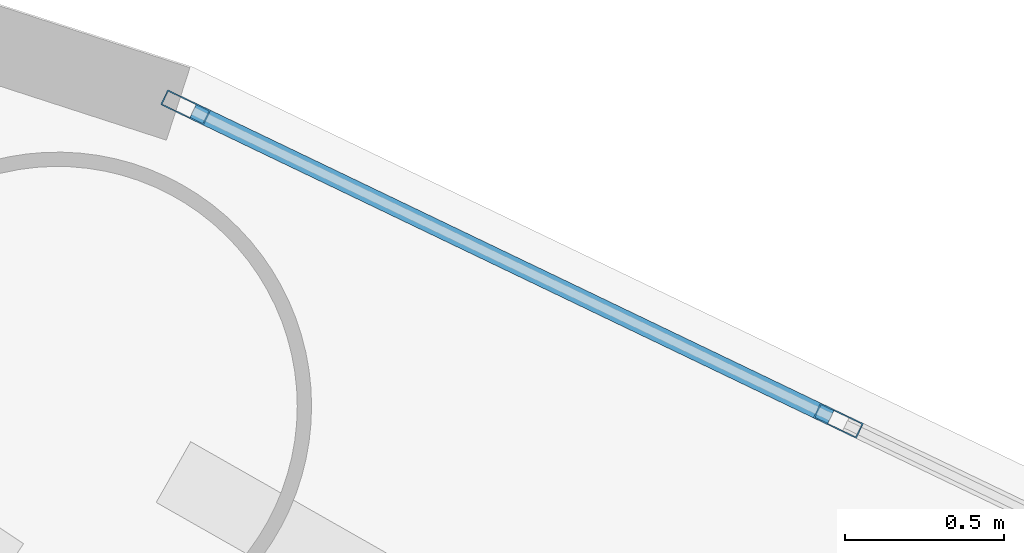
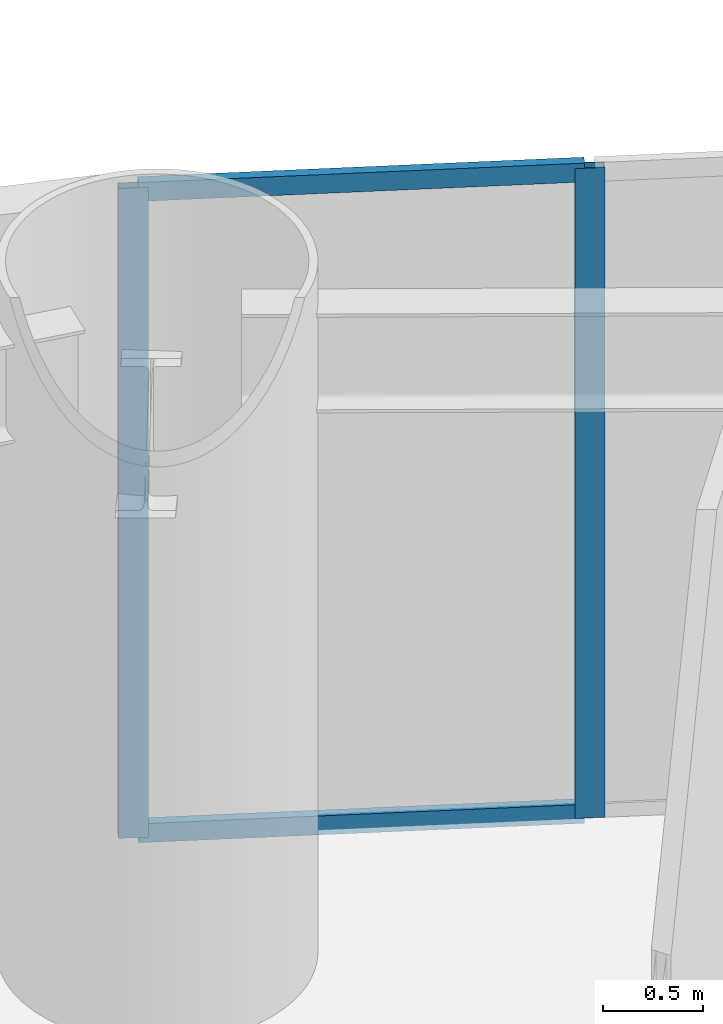
# One storey, part 4 of 21: 4 members, 1 element without a shape of its own.
"""IFC4 building model written with IfcOpenShell, lengths in metres."""

from ifc_helpers import new_model, si_unit, direction, frame, origin, origin_2d, place, context, subcontext, project, spatial, hollow_rectangle, extrude, source, transform, mapped, material, layer, layer_set, material_profile, profile_set, type_object, element, aggregate, save


model = new_model("IFC4")

# Units and contexts
model_context = context("Model", 3, precision=1e-05, world=origin(), true_north=direction((0.0, 1.0)))
body_context = subcontext(model_context, "Body", "Model", "MODEL_VIEW")
ifc_project = project(units=[si_unit("LENGTHUNIT", "METRE"), si_unit("AREAUNIT", "SQUARE_METRE"), si_unit("VOLUMEUNIT", "CUBIC_METRE"), si_unit("PLANEANGLEUNIT", "RADIAN"), si_unit("MASSUNIT", "GRAM", prefix="KILO")], contexts=[model_context])

# Site, building, storey
site_placement = place(None, origin())
site = spatial("IfcSite", under=ifc_project, at=site_placement, CompositionType="ELEMENT")
building_placement = place(site_placement, origin())
building = spatial("IfcBuilding", under=site, at=building_placement, Name="Linh Dai School and Residence Tower", CompositionType="ELEMENT")
storey_placement = place(building_placement, frame((0.0, 0.0, 78.60009765625)))
storey = spatial("IfcBuildingStorey", under=building, at=storey_placement, Name="L18", CompositionType="ELEMENT", Elevation=78.60009765625)

# Curtain wall, members
ifc_material_1 = material(Name="Aluminium Anodised Curtain Wall", Category="aluminium")
ifc_layer = layer(ifc_material_1, 0.14990234375)
ifc_layer_set = layer_set([ifc_layer], Name="Aluminium Anodised Curtain Wall")
curtain_wall_type = type_object("IfcCurtainWallType", Name="CW-SYS-4", PredefinedType="USERDEFINED", material=ifc_layer_set)
curtain_wall_placement = place(storey_placement, origin())
curtain_wall = element("IfcCurtainWall", 1, at=curtain_wall_placement, inside=storey, type_object=curtain_wall_type, Name="L18 CW4 Curtain Wall 07", ObjectType="RIBBON CURTAIN WALL", PredefinedType="USERDEFINED")
ifc_material_2 = material(Name="Aluminium Alloy 6063-T6", Category="aluminium")
ifc_material_profile_1 = material_profile(ifc_material_2, hollow_rectangle(XDim=0.052001953125, YDim=0.14990234375, WallThickness=0.00390625, at=origin_2d()), Name="RHS 150x52x4")
ifc_profile_set_1 = profile_set([ifc_material_profile_1], Name="Aluminium Alloy 6063-T6")
member_type_1 = type_object("IfcMemberType", Name="CW-SYS-4-MUL", PredefinedType="MULLION", material=ifc_profile_set_1)
shared_shape_1 = source(origin(), body_context, "Body", "SweptSolid", [
    extrude(hollow_rectangle(XDim=0.052001953125, YDim=0.14990234375, WallThickness=0.00390625, at=origin_2d()), origin(), (0.0, 0.0, 1.0), 3.949951171875),
])
member_1_placement = place(storey_placement, frame((50.1416015625, 48.639892578125, 0.0), z_axis=(0.0, 0.0, 1.0), x_axis=(0.432603008528, 0.901584514626, 0.0)))
member_1 = element("IfcMember", 2, at=member_1_placement, type_object=member_type_1, Name="CW4 mullion 1", PredefinedType="MULLION", context=body_context, shape_type="MappedRepresentation", body=[
    mapped(shared_shape_1, transform((0.0, 0.0, 0.0), x_axis=(1.0, 0.0, 0.0), y_axis=(0.0, 1.0, 0.0), z_axis=(0.0, 0.0, 1.0), scale=1.0)),
])
member_2_placement = place(storey_placement, frame((52.19775390625, 47.6533203125, 0.0), z_axis=(0.0, 0.0, 1.0), x_axis=(0.432603008528, 0.901584514626, 0.0)))
member_2 = element("IfcMember", 3, at=member_2_placement, type_object=member_type_1, Name="CW4 mullion 2", PredefinedType="MULLION", context=body_context, shape_type="MappedRepresentation", body=[
    mapped(shared_shape_1, transform((0.0, 0.0, 0.0), x_axis=(1.0, 0.0, 0.0), y_axis=(0.0, 1.0, 0.0), z_axis=(0.0, 0.0, 1.0), scale=1.0)),
])
ifc_material_profile_2 = material_profile(ifc_material_2, hollow_rectangle(XDim=0.052001953125, YDim=0.114990234375, WallThickness=0.00390625, at=origin_2d()), Name="RHS 115x52x4")
ifc_profile_set_2 = profile_set([ifc_material_profile_2], Name="Aluminium Alloy 6063-T6")
member_type_2 = type_object("IfcMemberType", Name="CW-SYS-4-TRN", PredefinedType="USERDEFINED", material=ifc_profile_set_2)
shared_shape_2 = source(origin(), body_context, "Body", "SweptSolid", [
    extrude(hollow_rectangle(XDim=0.052001953125, YDim=0.114990234375, WallThickness=0.00390625, at=origin_2d()), origin(), (0.0, 0.0, 1.0), 2.228271484375),
])
member_3_placement = place(storey_placement, frame((50.1650390625, 48.628662109375, 0.02587890625), z_axis=(0.901562375371, -0.432649145746, 0.0), x_axis=(0.432649145746, 0.901562375371, 0.0)))
member_3 = element("IfcMember", 4, at=member_3_placement, type_object=member_type_2, Name="CW4 transom 1.1", ObjectType="TRANSOM", PredefinedType="USERDEFINED", context=body_context, shape_type="MappedRepresentation", body=[
    mapped(shared_shape_2, transform((0.0, 0.0, 0.0), x_axis=(1.0, 0.0, 0.0), y_axis=(0.0, 1.0, 0.0), z_axis=(0.0, 0.0, 1.0), scale=1.0)),
])
member_4_placement = place(storey_placement, frame((50.1650390625, 48.628662109375, 3.923828125), z_axis=(0.901562375371, -0.432649145746, 0.0), x_axis=(0.432649145746, 0.901562375371, 0.0)))
member_4 = element("IfcMember", 5, at=member_4_placement, type_object=member_type_2, Name="CW4 transom 1.2", ObjectType="TRANSOM", PredefinedType="USERDEFINED", context=body_context, shape_type="MappedRepresentation", body=[
    mapped(shared_shape_2, transform((0.0, 0.0, 0.0), x_axis=(1.0, 0.0, 0.0), y_axis=(0.0, 1.0, 0.0), z_axis=(0.0, 0.0, 1.0), scale=1.0)),
])
aggregate(curtain_wall, [member_1, member_2, member_3, member_4])

save(model, "model.ifc")
